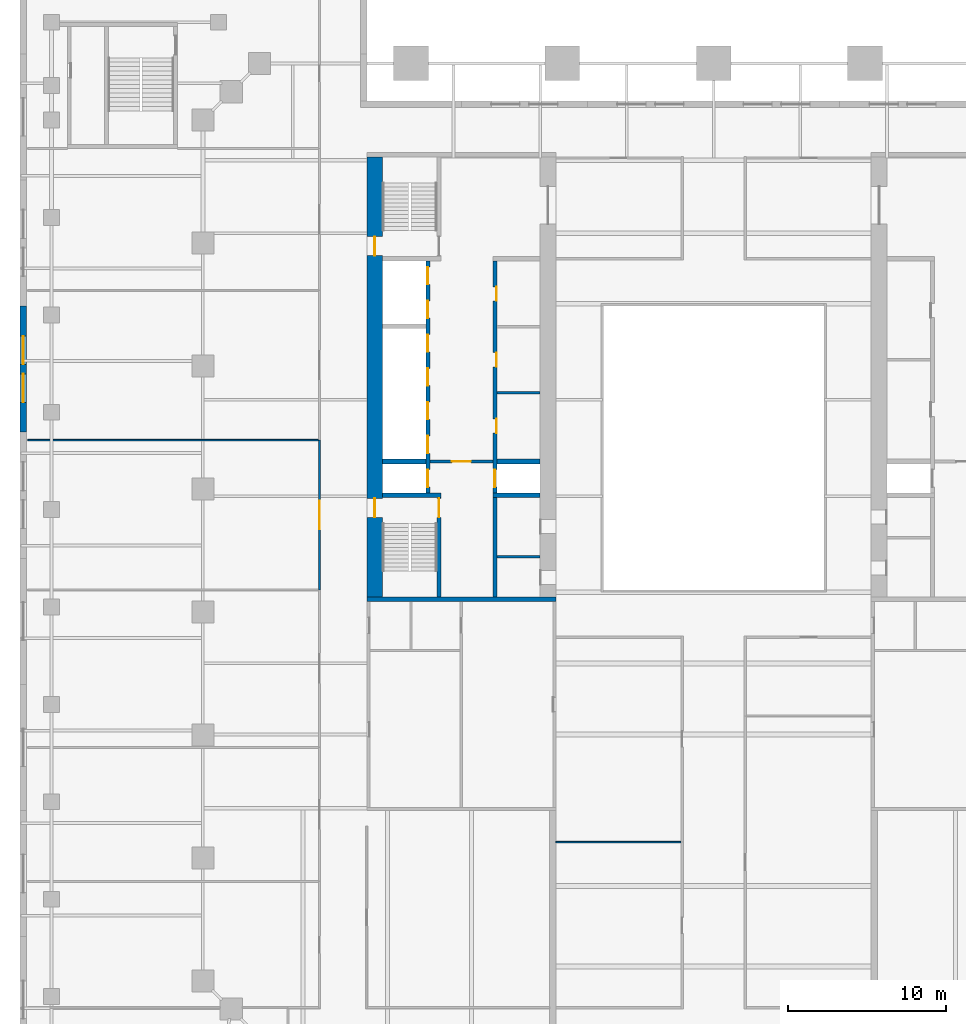
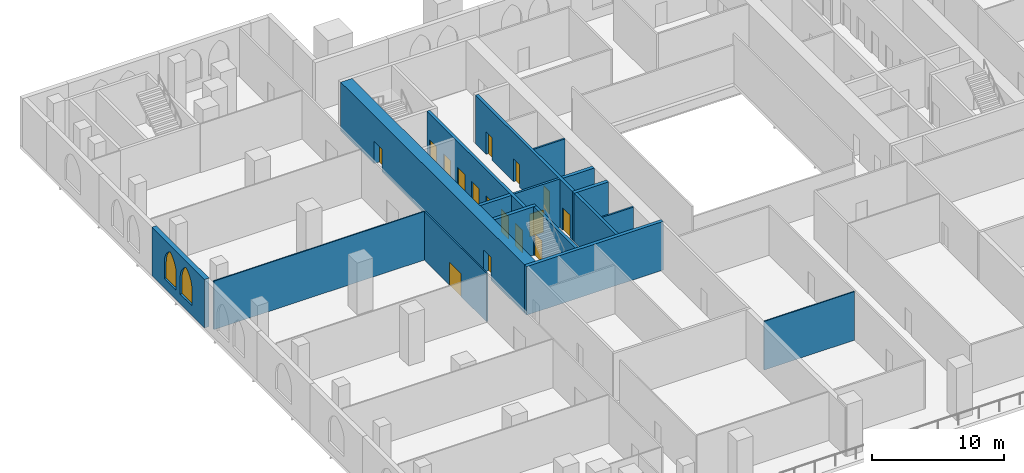
# One storey, part 10 of 19: 16 doors, 16 walls, 2 windows, 18 openings.
"""IFC4 building model written with IfcOpenShell, lengths in metres."""

from ifc_helpers import new_model, si_unit, direction, frame, frame_2d, origin, place, context, subcontext, project, spatial, polyline, rectangle, outline, extrude, material, layer, layer_set, type_object, element, fill, save


model = new_model("IFC4")

# Units and contexts
model_context = context("Model", 3, precision=1e-05, world=origin(), true_north=direction((0.0, 1.0)))
body_context = subcontext(model_context, "Body", "Model", "MODEL_VIEW")
ifc_project = project(units=[si_unit("LENGTHUNIT", "METRE"), si_unit("AREAUNIT", "SQUARE_METRE"), si_unit("VOLUMEUNIT", "CUBIC_METRE"), si_unit("PLANEANGLEUNIT", "RADIAN"), si_unit("MASSUNIT", "GRAM", prefix="KILO")], contexts=[model_context])

# Site, building, storey
site_placement = place(None, origin())
site = spatial("IfcSite", under=ifc_project, at=site_placement, CompositionType="ELEMENT")
building_placement = place(site_placement, origin())
building = spatial("IfcBuilding", under=site, at=building_placement, Name="Ogive Exchange Tower", CompositionType="ELEMENT")
storey_placement = place(building_placement, frame((0.0, 0.0, 19.199951171875)))
storey = spatial("IfcBuildingStorey", under=building, at=storey_placement, Name="L03", CompositionType="ELEMENT", Elevation=19.199951171875)

# Walls
ifc_material_1 = material(Name="Gypsum board partition")
ifc_layer_1 = layer(ifc_material_1, 0.14990234375)
ifc_layer_set_1 = layer_set([ifc_layer_1], Name="Core room partition 150 gypsum")
wall_type_1 = type_object("IfcWallType", Name="Core room partition 150 gypsum", PredefinedType="PARTITIONING", material=ifc_layer_set_1)
for number, where, z_axis, x_axis, name in (
    (1, (-13.75, 10.5, 0.0), (0.0, 0.0, 1.0), (1.0, 0.0, 0.0), "W row B bay partition 1-1"),
    (2, (-13.75, 0.10009765625, 0.0), (0.0, 0.0, 1.0), (1.0, 0.0, 0.0), "W south room partition"),
):
    element("IfcWall", number, at=place(storey_placement, frame(where, z_axis=z_axis, x_axis=x_axis)), inside=storey, type_object=wall_type_1, Name=name, PredefinedType="PARTITIONING", context=body_context, shape_type="SweptSolid", body=[
        extrude(rectangle(XDim=2.75, YDim=0.14990234375, at=frame_2d((1.375, 0.0))), origin(), (0.0, 0.0, 1.0), 4.5),
    ])

# Wall, opening, door
ifc_material_2 = material(Name="Glazed fire partition EI 60 120")
ifc_layer_2 = layer(ifc_material_2, 0.1201171875)
ifc_layer_set_2 = layer_set([ifc_layer_2], Name="Glazed fire partition EI 60 120")
wall_type_2 = type_object("IfcWallType", Name="Glazed fire partition EI 60 120", PredefinedType="PARTITIONING", material=ifc_layer_set_2)
wall_1_placement = place(storey_placement, frame((-25.0, -2.0, 0.0), z_axis=(0.0, 0.0, 1.0), x_axis=(0.0, 1.0, 0.0)))
wall_1 = element("IfcWall", 3, at=wall_1_placement, inside=storey, type_object=wall_type_2, Name="L03-PWL-046", PredefinedType="PARTITIONING", context=body_context, shape_type="SweptSolid", body=[
    extrude(rectangle(XDim=9.5, YDim=0.1201171875, at=frame_2d((4.75, 0.0))), origin(), (0.0, 0.0, 1.0), 4.5),
])
opening_1_placement = place(wall_1_placement, frame((3.85009765625, 0.0, 0.0)))
opening_1 = element("IfcOpeningElement", 4, at=opening_1_placement, cuts=wall_1, Name="Opening L03-I06", PredefinedType="OPENING", context=body_context, shape_type="SweptSolid", body=[
    extrude(rectangle(XDim=1.800048828125, YDim=2.10009765625, at=frame_2d((0.89990234375, 1.050048828125))), frame((0.0, 0.070068359375, 0.0), z_axis=(0.0, -1.0, 0.0), x_axis=(1.0, 0.0, 0.0)), (0.0, 0.0, 1.0), 0.14013671875),
])
ifc_material_3 = material(Name="Fire door FD 30S 1800 x 2100")
door_type_1 = type_object("IfcDoorType", Name="Fire door FD 30S 1800 x 2100", OperationType="DOUBLE_DOOR_SINGLE_SWING", PredefinedType="DOOR", material=ifc_material_3)
door_1_placement = place(opening_1_placement, origin())
door_1 = element("IfcDoor", 5, at=door_1_placement, inside=storey, type_object=door_type_1, Name="L03-IDR-006", ObjectType="DT4", OperationType="SINGLE_SWING_RIGHT", OverallHeight=2.10009765625, OverallWidth=1.800048828125, PredefinedType="DOOR", context=body_context, shape_type="SweptSolid", body=[
    extrude(rectangle(XDim=1.800048828125, YDim=2.10009765625, at=frame_2d((0.89990234375, 1.050048828125))), frame((0.0, 0.02490234375, 0.0), z_axis=(0.0, -1.0, 0.0), x_axis=(1.0, 0.0, 0.0)), (0.0, 0.0, 1.0), 0.050048828125),
])
fill(opening_1, door_1)

# Wall, openings, windows
ifc_material_4 = material(Name="Precast concrete C40/50", Category="concrete")
ifc_layer_3 = layer(ifc_material_4, 0.39990234375)
ifc_layer_set_3 = layer_set([ifc_layer_3], Name="Limestone-faced wall 400")
wall_type_3 = type_object("IfcWallType", Name="Limestone-faced wall 400", PredefinedType="STANDARD", material=ifc_layer_set_3)
wall_2_placement = place(storey_placement, frame((-43.800048828125, 16.0, 0.0), z_axis=(0.0, 0.0, 1.0), x_axis=(0.0, -1.0, 0.0)))
wall_2 = element("IfcWall", 6, at=wall_2_placement, inside=storey, type_object=wall_type_3, Name="Podium wall W4", PredefinedType="STANDARD", context=body_context, shape_type="SweptSolid", body=[
    extrude(rectangle(XDim=8.0, YDim=0.39990234375, at=frame_2d((4.0, 0.0))), origin(), (0.0, 0.0, 1.0), 4.5),
])
opening_2_placement = place(wall_2_placement, frame((1.89990234375, 0.0, 0.89990234375)))
opening_2 = element("IfcOpeningElement", 7, at=opening_2_placement, cuts=wall_2, Name="Opening WQ300", PredefinedType="OPENING", context=body_context, shape_type="SweptSolid", body=[
    extrude(outline(polyline([(0.0, 0.0), (1.800048828125, 0.0), (1.800048828125, 1.5), (1.78466796875, 1.72900390625), (1.73828125, 1.953857421875), (1.662353515625, 2.17041015625), (1.557861328125, 2.374755859375), (1.4267578125, 2.56298828125), (1.271484375, 2.73193359375), (1.0947265625, 2.878662109375), (0.89990234375, 3.0), (0.705322265625, 2.878662109375), (0.528564453125, 2.73193359375), (0.373291015625, 2.56298828125), (0.2421875, 2.374755859375), (0.1376953125, 2.17041015625), (0.061767578125, 1.953857421875), (0.015380859375, 1.72900390625), (0.0, 1.5), (0.0, 0.0)])), frame((0.0, 0.2099609375, 0.0), z_axis=(0.0, -1.0, 0.0), x_axis=(1.0, 0.0, 0.0)), (0.0, 0.0, 1.0), 0.419921875),
])
opening_3_placement = place(wall_2_placement, frame((4.300048828125, 0.0, 0.89990234375)))
opening_3 = element("IfcOpeningElement", 8, at=opening_3_placement, cuts=wall_2, Name="Opening WQ300", PredefinedType="OPENING", context=body_context, shape_type="SweptSolid", body=[
    extrude(outline(polyline([(0.0, 0.0), (1.800048828125, 0.0), (1.800048828125, 1.5), (1.78466796875, 1.72900390625), (1.73828125, 1.953857421875), (1.662353515625, 2.17041015625), (1.557861328125, 2.374755859375), (1.4267578125, 2.56298828125), (1.271484375, 2.73193359375), (1.0947265625, 2.878662109375), (0.89990234375, 3.0), (0.705322265625, 2.878662109375), (0.528564453125, 2.73193359375), (0.373291015625, 2.56298828125), (0.2421875, 2.374755859375), (0.1376953125, 2.17041015625), (0.061767578125, 1.953857421875), (0.015380859375, 1.72900390625), (0.0, 1.5), (0.0, 0.0)])), frame((0.0, 0.2099609375, 0.0), z_axis=(0.0, -1.0, 0.0), x_axis=(1.0, 0.0, 0.0)), (0.0, 0.0, 1.0), 0.419921875),
])
ifc_material_5 = material(Name="Clear glass in bronze frame", Category="glass")
window_type = type_object("IfcWindowType", Name="Podium paired lancet 1800 x 3000", PartitioningType="DOUBLE_PANEL_VERTICAL", PredefinedType="WINDOW", material=ifc_material_5)
window_1_placement = place(opening_2_placement, origin())
window_1 = element("IfcWindow", 9, at=window_1_placement, inside=storey, type_object=window_type, Name="Podium paired lancet W4.1", OverallHeight=3.0, OverallWidth=1.800048828125, PartitioningType="DOUBLE_PANEL_VERTICAL", PredefinedType="WINDOW", context=body_context, shape_type="SweptSolid", body=[
    extrude(outline(polyline([(0.0, 0.0), (1.800048828125, 0.0), (1.800048828125, 1.5), (1.78466796875, 1.72900390625), (1.73828125, 1.953857421875), (1.662353515625, 2.17041015625), (1.557861328125, 2.374755859375), (1.4267578125, 2.56298828125), (1.271484375, 2.73193359375), (1.0947265625, 2.878662109375), (0.89990234375, 3.0), (0.705322265625, 2.878662109375), (0.528564453125, 2.73193359375), (0.373291015625, 2.56298828125), (0.2421875, 2.374755859375), (0.1376953125, 2.17041015625), (0.061767578125, 1.953857421875), (0.015380859375, 1.72900390625), (0.0, 1.5), (0.0, 0.0)])), frame((0.0, 0.030029296875, 0.0), z_axis=(0.0, -1.0, 0.0), x_axis=(1.0, 0.0, 0.0)), (0.0, 0.0, 1.0), 0.06005859375),
])
fill(opening_2, window_1)
window_2_placement = place(opening_3_placement, origin())
window_2 = element("IfcWindow", 10, at=window_2_placement, inside=storey, type_object=window_type, Name="Podium paired lancet W4.2", OverallHeight=3.0, OverallWidth=1.800048828125, PartitioningType="DOUBLE_PANEL_VERTICAL", PredefinedType="WINDOW", context=body_context, shape_type="SweptSolid", body=[
    extrude(outline(polyline([(0.0, 0.0), (1.800048828125, 0.0), (1.800048828125, 1.5), (1.78466796875, 1.72900390625), (1.73828125, 1.953857421875), (1.662353515625, 2.17041015625), (1.557861328125, 2.374755859375), (1.4267578125, 2.56298828125), (1.271484375, 2.73193359375), (1.0947265625, 2.878662109375), (0.89990234375, 3.0), (0.705322265625, 2.878662109375), (0.528564453125, 2.73193359375), (0.373291015625, 2.56298828125), (0.2421875, 2.374755859375), (0.1376953125, 2.17041015625), (0.061767578125, 1.953857421875), (0.015380859375, 1.72900390625), (0.0, 1.5), (0.0, 0.0)])), frame((0.0, 0.030029296875, 0.0), z_axis=(0.0, -1.0, 0.0), x_axis=(1.0, 0.0, 0.0)), (0.0, 0.0, 1.0), 0.06005859375),
])
fill(opening_3, window_2)

# Walls
ifc_material_6 = material(Name="Partition 100 gypsum")
ifc_layer_4 = layer(ifc_material_6, 0.10009765625)
ifc_layer_set_4 = layer_set([ifc_layer_4], Name="Partition 100 gypsum")
wall_type_4 = type_object("IfcWallType", Name="Partition 100 gypsum", PredefinedType="PARTITIONING", material=ifc_layer_set_4)
wall_3_placement = place(storey_placement, frame((-10.0, -18.0, 0.0), z_axis=(0.0, 0.0, 1.0), x_axis=(1.0, 0.0, 0.0)))
element("IfcWall", 11, at=wall_3_placement, inside=storey, type_object=wall_type_4, Name="L03-PWL-016", PredefinedType="PARTITIONING", context=body_context, shape_type="SweptSolid", body=[
    extrude(rectangle(XDim=7.925048828125, YDim=0.10009765625, at=frame_2d((3.96240234375, 0.0))), origin(), (0.0, 0.0, 1.0), 4.5),
])
wall_4_placement = place(storey_placement, frame((-43.5, 7.5, 0.0), z_axis=(0.0, 0.0, 1.0), x_axis=(1.0, 0.0, 0.0)))
element("IfcWall", 12, at=wall_4_placement, inside=storey, type_object=wall_type_4, Name="L03-PWL-026", PredefinedType="PARTITIONING", context=body_context, shape_type="SweptSolid", body=[
    extrude(rectangle(XDim=18.43994140625, YDim=0.10009765625, at=frame_2d((9.219970703125, 0.0))), origin(), (0.0, 0.0, 1.0), 4.5),
])

# Wall, openings, doors
ifc_material_7 = material(Name="Concrete C70/85", Category="concrete")
ifc_layer_5 = layer(ifc_material_7, 1.0)
ifc_layer_set_5 = layer_set([ifc_layer_5], Name="RC core wall 1000 C70/85")
wall_type_5 = type_object("IfcWallType", Name="RC core wall 1000 C70/85", PredefinedType="SHEAR", material=ifc_layer_set_5)
wall_5_placement = place(storey_placement, frame((-21.5, -2.449951171875, 0.0), z_axis=(0.0, 0.0, 1.0), x_axis=(0.0, 1.0, 0.0)))
wall_5 = element("IfcWall", 13, at=wall_5_placement, inside=storey, type_object=wall_type_5, Name="W outer wall", PredefinedType="SHEAR", context=body_context, shape_type="SweptSolid", body=[
    extrude(rectangle(XDim=27.89990234375, YDim=1.0, at=frame_2d((13.949951171875, 0.0))), origin(), (0.0, 0.0, 1.0), 4.5),
])
opening_4_placement = place(wall_5_placement, frame((5.050048828125, 0.0, 0.0)))
opening_4 = element("IfcOpeningElement", 14, at=opening_4_placement, cuts=wall_5, Name="Opening L03-C15", PredefinedType="OPENING", context=body_context, shape_type="SweptSolid", body=[
    extrude(rectangle(XDim=1.199951171875, YDim=2.10009765625, at=frame_2d((0.60009765625, 1.050048828125))), frame((0.0, 0.510009765625, 0.0), z_axis=(0.0, -1.0, 0.0), x_axis=(1.0, 0.0, 0.0)), (0.0, 0.0, 1.0), 1.02001953125),
])
opening_5_placement = place(wall_5_placement, frame((21.64990234375, 0.0, 0.0)))
opening_5 = element("IfcOpeningElement", 15, at=opening_5_placement, cuts=wall_5, Name="Opening L03-C17", PredefinedType="OPENING", context=body_context, shape_type="SweptSolid", body=[
    extrude(rectangle(XDim=1.199951171875, YDim=2.10009765625, at=frame_2d((0.60009765625, 1.050048828125))), frame((0.0, 0.510009765625, 0.0), z_axis=(0.0, -1.0, 0.0), x_axis=(1.0, 0.0, 0.0)), (0.0, 0.0, 1.0), 1.02001953125),
])
ifc_material_8 = material(Name="Steel fire door", Category="steel")
door_type_2 = type_object("IfcDoorType", Name="Stair door FD90 1200 x 2100", OperationType="NOTDEFINED", PredefinedType="DOOR", material=ifc_material_8)
door_2_placement = place(opening_4_placement, frame((1.199951171875, 0.0, 0.0), z_axis=(0.0, 0.0, 1.0), x_axis=(-1.0, 0.0, 0.0)))
door_2 = element("IfcDoor", 16, at=door_2_placement, inside=storey, type_object=door_type_2, Name="Stair door", ObjectType="CD5", OperationType="SINGLE_SWING_RIGHT", OverallHeight=2.10009765625, OverallWidth=1.199951171875, PredefinedType="DOOR", context=body_context, shape_type="SweptSolid", body=[
    extrude(rectangle(XDim=1.199951171875, YDim=2.10009765625, at=frame_2d((0.60009765625, 1.050048828125))), frame((0.0, 0.02490234375, 0.0), z_axis=(0.0, -1.0, 0.0), x_axis=(1.0, 0.0, 0.0)), (0.0, 0.0, 1.0), 0.050048828125),
])
fill(opening_4, door_2)
door_3_placement = place(opening_5_placement, frame((1.199951171875, 0.0, 0.0), z_axis=(0.0, 0.0, 1.0), x_axis=(-1.0, 0.0, 0.0)))
door_3 = element("IfcDoor", 17, at=door_3_placement, inside=storey, type_object=door_type_2, Name="Stair door", ObjectType="CD5", OperationType="SINGLE_SWING_LEFT", OverallHeight=2.10009765625, OverallWidth=1.199951171875, PredefinedType="DOOR", context=body_context, shape_type="SweptSolid", body=[
    extrude(rectangle(XDim=1.199951171875, YDim=2.10009765625, at=frame_2d((0.60009765625, 1.050048828125))), frame((0.0, 0.02490234375, 0.0), z_axis=(0.0, -1.0, 0.0), x_axis=(1.0, 0.0, 0.0)), (0.0, 0.0, 1.0), 0.050048828125),
])
fill(opening_5, door_3)

# Wall, opening, door
ifc_layer_6 = layer(ifc_material_7, 0.199951171875)
ifc_layer_set_6 = layer_set([ifc_layer_6], Name="RC core wall 200 C70/85")
wall_type_6 = type_object("IfcWallType", Name="RC core wall 200 C70/85", PredefinedType="SHEAR", material=ifc_layer_set_6)
wall_6_placement = place(storey_placement, frame((-18.0, 6.142822265625, 0.0), z_axis=(0.0, 0.0, 1.0), x_axis=(1.0, 0.0, 0.0)))
wall_6 = element("IfcWall", 18, at=wall_6_placement, inside=storey, type_object=wall_type_6, Name="W firefighting lobby wall", PredefinedType="SHEAR", context=body_context, shape_type="SweptSolid", body=[
    extrude(rectangle(XDim=4.0, YDim=0.199951171875, at=frame_2d((2.0, 0.0))), origin(), (0.0, 0.0, 1.0), 4.5),
])
opening_6_placement = place(wall_6_placement, frame((1.39990234375, 0.0, 0.0)))
opening_6 = element("IfcOpeningElement", 19, at=opening_6_placement, cuts=wall_6, Name="Opening L03-C12", PredefinedType="OPENING", context=body_context, shape_type="SweptSolid", body=[
    extrude(rectangle(XDim=1.199951171875, YDim=2.10009765625, at=frame_2d((0.60009765625, 1.050048828125))), frame((0.0, 0.10986328125, 0.0), z_axis=(0.0, -1.0, 0.0), x_axis=(1.0, 0.0, 0.0)), (0.0, 0.0, 1.0), 0.219970703125),
])
door_type_3 = type_object("IfcDoorType", Name="Firefighting lobby door FD60 1200 x 2100", OperationType="NOTDEFINED", PredefinedType="DOOR", material=ifc_material_8)
door_4_placement = place(opening_6_placement, frame((1.199951171875, 0.0, 0.0), z_axis=(0.0, 0.0, 1.0), x_axis=(-1.0, 0.0, 0.0)))
door_4 = element("IfcDoor", 20, at=door_4_placement, inside=storey, type_object=door_type_3, Name="Firefighting lobby door", ObjectType="CD3", OperationType="SINGLE_SWING_LEFT", OverallHeight=2.10009765625, OverallWidth=1.199951171875, PredefinedType="DOOR", context=body_context, shape_type="SweptSolid", body=[
    extrude(rectangle(XDim=1.199951171875, YDim=2.10009765625, at=frame_2d((0.60009765625, 1.050048828125))), frame((0.0, 0.02490234375, 0.0), z_axis=(0.0, -1.0, 0.0), x_axis=(1.0, 0.0, 0.0)), (0.0, 0.0, 1.0), 0.050048828125),
])
fill(opening_6, door_4)

ifc_layer_7 = layer(ifc_material_7, 0.25)
ifc_layer_set_7 = layer_set([ifc_layer_7], Name="RC core wall 250 C70/85")
wall_type_7 = type_object("IfcWallType", Name="RC core wall 250 C70/85", PredefinedType="SHEAR", material=ifc_layer_set_7)
wall_7_placement = place(storey_placement, frame((-17.425048828125, -2.449951171875, 0.0), z_axis=(0.0, 0.0, 1.0), x_axis=(0.0, 1.0, 0.0)))
wall_7 = element("IfcWall", 21, at=wall_7_placement, inside=storey, type_object=wall_type_7, Name="W stair S front wall", PredefinedType="SHEAR", context=body_context, shape_type="SweptSolid", body=[
    extrude(rectangle(XDim=6.300048828125, YDim=0.25, at=frame_2d((3.14990234375, 0.0))), origin(), (0.0, 0.0, 1.0), 4.5),
])
opening_7_placement = place(wall_7_placement, frame((5.050048828125, 0.0, 0.0)))
opening_7 = element("IfcOpeningElement", 22, at=opening_7_placement, cuts=wall_7, Name="Opening L03-C14", PredefinedType="OPENING", context=body_context, shape_type="SweptSolid", body=[
    extrude(rectangle(XDim=1.199951171875, YDim=2.10009765625, at=frame_2d((0.60009765625, 1.050048828125))), frame((0.0, 0.135009765625, 0.0), z_axis=(0.0, -1.0, 0.0), x_axis=(1.0, 0.0, 0.0)), (0.0, 0.0, 1.0), 0.27001953125),
])
door_5_placement = place(opening_7_placement, origin())
door_5 = element("IfcDoor", 23, at=door_5_placement, inside=storey, type_object=door_type_2, Name="Stair door", ObjectType="CD5", OperationType="SINGLE_SWING_LEFT", OverallHeight=2.10009765625, OverallWidth=1.199951171875, PredefinedType="DOOR", context=body_context, shape_type="SweptSolid", body=[
    extrude(rectangle(XDim=1.199951171875, YDim=2.10009765625, at=frame_2d((0.60009765625, 1.050048828125))), frame((0.0, 0.02490234375, 0.0), z_axis=(0.0, -1.0, 0.0), x_axis=(1.0, 0.0, 0.0)), (0.0, 0.0, 1.0), 0.050048828125),
])
fill(opening_7, door_5)

# Wall, openings, doors
wall_8_placement = place(storey_placement, frame((-18.125, 4.14990234375, 0.0), z_axis=(0.0, 0.0, 1.0), x_axis=(0.0, 1.0, 0.0)))
wall_8 = element("IfcWall", 24, at=wall_8_placement, inside=storey, type_object=wall_type_7, Name="W row A front wall", PredefinedType="SHEAR", context=body_context, shape_type="SweptSolid", body=[
    extrude(rectangle(XDim=14.7001953125, YDim=0.25, at=frame_2d((7.35009765625, 0.0))), origin(), (0.0, 0.0, 1.0), 4.5),
])
opening_8_placement = place(wall_8_placement, frame((0.371337890625, 0.0, 0.0)))
opening_8 = element("IfcOpeningElement", 25, at=opening_8_placement, cuts=wall_8, Name="Opening L03-C01", PredefinedType="OPENING", context=body_context, shape_type="SweptSolid", body=[
    extrude(rectangle(XDim=1.10009765625, YDim=2.10009765625, at=frame_2d((0.550048828125, 1.050048828125))), frame((0.0, 0.135009765625, 0.0), z_axis=(0.0, -1.0, 0.0), x_axis=(1.0, 0.0, 0.0)), (0.0, 0.0, 1.0), 0.27001953125),
])
opening_9_placement = place(wall_8_placement, frame((2.514404296875, 0.0, 0.0)))
opening_9 = element("IfcOpeningElement", 26, at=opening_9_placement, cuts=wall_8, Name="Opening L03-C02", PredefinedType="OPENING", context=body_context, shape_type="SweptSolid", body=[
    extrude(rectangle(XDim=1.10009765625, YDim=2.10009765625, at=frame_2d((0.550048828125, 1.050048828125))), frame((0.0, 0.135009765625, 0.0), z_axis=(0.0, -1.0, 0.0), x_axis=(1.0, 0.0, 0.0)), (0.0, 0.0, 1.0), 0.27001953125),
])
opening_10_placement = place(wall_8_placement, frame((4.656982421875, 0.0, 0.0)))
opening_10 = element("IfcOpeningElement", 27, at=opening_10_placement, cuts=wall_8, Name="Opening L03-C03", PredefinedType="OPENING", context=body_context, shape_type="SweptSolid", body=[
    extrude(rectangle(XDim=1.10009765625, YDim=2.10009765625, at=frame_2d((0.550048828125, 1.050048828125))), frame((0.0, 0.135009765625, 0.0), z_axis=(0.0, -1.0, 0.0), x_axis=(1.0, 0.0, 0.0)), (0.0, 0.0, 1.0), 0.27001953125),
])
opening_11_placement = place(wall_8_placement, frame((6.800048828125, 0.0, 0.0)))
opening_11 = element("IfcOpeningElement", 28, at=opening_11_placement, cuts=wall_8, Name="Opening L03-C04", PredefinedType="OPENING", context=body_context, shape_type="SweptSolid", body=[
    extrude(rectangle(XDim=1.10009765625, YDim=2.10009765625, at=frame_2d((0.550048828125, 1.050048828125))), frame((0.0, 0.135009765625, 0.0), z_axis=(0.0, -1.0, 0.0), x_axis=(1.0, 0.0, 0.0)), (0.0, 0.0, 1.0), 0.27001953125),
])
opening_12_placement = place(wall_8_placement, frame((8.94287109375, 0.0, 0.0)))
opening_12 = element("IfcOpeningElement", 29, at=opening_12_placement, cuts=wall_8, Name="Opening L03-C05", PredefinedType="OPENING", context=body_context, shape_type="SweptSolid", body=[
    extrude(rectangle(XDim=1.10009765625, YDim=2.10009765625, at=frame_2d((0.550048828125, 1.050048828125))), frame((0.0, 0.135009765625, 0.0), z_axis=(0.0, -1.0, 0.0), x_axis=(1.0, 0.0, 0.0)), (0.0, 0.0, 1.0), 0.27001953125),
])
opening_13_placement = place(wall_8_placement, frame((11.085693359375, 0.0, 0.0)))
opening_13 = element("IfcOpeningElement", 30, at=opening_13_placement, cuts=wall_8, Name="Opening L03-C06", PredefinedType="OPENING", context=body_context, shape_type="SweptSolid", body=[
    extrude(rectangle(XDim=1.10009765625, YDim=2.10009765625, at=frame_2d((0.550048828125, 1.050048828125))), frame((0.0, 0.135009765625, 0.0), z_axis=(0.0, -1.0, 0.0), x_axis=(1.0, 0.0, 0.0)), (0.0, 0.0, 1.0), 0.27001953125),
])
opening_14_placement = place(wall_8_placement, frame((13.228515625, 0.0, 0.0)))
opening_14 = element("IfcOpeningElement", 31, at=opening_14_placement, cuts=wall_8, Name="Opening L03-C07", PredefinedType="OPENING", context=body_context, shape_type="SweptSolid", body=[
    extrude(rectangle(XDim=1.10009765625, YDim=2.10009765625, at=frame_2d((0.550048828125, 1.050048828125))), frame((0.0, 0.135009765625, 0.0), z_axis=(0.0, -1.0, 0.0), x_axis=(1.0, 0.0, 0.0)), (0.0, 0.0, 1.0), 0.27001953125),
])
ifc_material_9 = material(Name="Stainless steel", Category="steel")
door_type_4 = type_object("IfcDoorType", Name="Lift landing door FD90 1100 x 2100", OperationType="SLIDING_TO_LEFT", PredefinedType="DOOR", material=ifc_material_9)
door_6_placement = place(opening_8_placement, origin())
door_6 = element("IfcDoor", 32, at=door_6_placement, inside=storey, type_object=door_type_4, Name="Lift landing door FF1", ObjectType="LD", OperationType="SLIDING_TO_LEFT", OverallHeight=2.10009765625, OverallWidth=1.10009765625, PredefinedType="DOOR", context=body_context, shape_type="SweptSolid", body=[
    extrude(rectangle(XDim=1.10009765625, YDim=2.10009765625, at=frame_2d((0.550048828125, 1.050048828125))), frame((0.0, 0.02490234375, 0.0), z_axis=(0.0, -1.0, 0.0), x_axis=(1.0, 0.0, 0.0)), (0.0, 0.0, 1.0), 0.050048828125),
])
fill(opening_8, door_6)
door_7_placement = place(opening_9_placement, origin())
door_7 = element("IfcDoor", 33, at=door_7_placement, inside=storey, type_object=door_type_4, Name="Lift landing door W-L1", ObjectType="LD", OperationType="SLIDING_TO_LEFT", OverallHeight=2.10009765625, OverallWidth=1.10009765625, PredefinedType="DOOR", context=body_context, shape_type="SweptSolid", body=[
    extrude(rectangle(XDim=1.10009765625, YDim=2.10009765625, at=frame_2d((0.550048828125, 1.050048828125))), frame((0.0, 0.02490234375, 0.0), z_axis=(0.0, -1.0, 0.0), x_axis=(1.0, 0.0, 0.0)), (0.0, 0.0, 1.0), 0.050048828125),
])
fill(opening_9, door_7)
door_8_placement = place(opening_10_placement, origin())
door_8 = element("IfcDoor", 34, at=door_8_placement, inside=storey, type_object=door_type_4, Name="Lift landing door W-L2", ObjectType="LD", OperationType="SLIDING_TO_LEFT", OverallHeight=2.10009765625, OverallWidth=1.10009765625, PredefinedType="DOOR", context=body_context, shape_type="SweptSolid", body=[
    extrude(rectangle(XDim=1.10009765625, YDim=2.10009765625, at=frame_2d((0.550048828125, 1.050048828125))), frame((0.0, 0.02490234375, 0.0), z_axis=(0.0, -1.0, 0.0), x_axis=(1.0, 0.0, 0.0)), (0.0, 0.0, 1.0), 0.050048828125),
])
fill(opening_10, door_8)
door_9_placement = place(opening_11_placement, origin())
door_9 = element("IfcDoor", 35, at=door_9_placement, inside=storey, type_object=door_type_4, Name="Lift landing door W-L3", ObjectType="LD", OperationType="SLIDING_TO_LEFT", OverallHeight=2.10009765625, OverallWidth=1.10009765625, PredefinedType="DOOR", context=body_context, shape_type="SweptSolid", body=[
    extrude(rectangle(XDim=1.10009765625, YDim=2.10009765625, at=frame_2d((0.550048828125, 1.050048828125))), frame((0.0, 0.02490234375, 0.0), z_axis=(0.0, -1.0, 0.0), x_axis=(1.0, 0.0, 0.0)), (0.0, 0.0, 1.0), 0.050048828125),
])
fill(opening_11, door_9)
door_10_placement = place(opening_12_placement, origin())
door_10 = element("IfcDoor", 36, at=door_10_placement, inside=storey, type_object=door_type_4, Name="Lift landing door W-L4", ObjectType="LD", OperationType="SLIDING_TO_LEFT", OverallHeight=2.10009765625, OverallWidth=1.10009765625, PredefinedType="DOOR", context=body_context, shape_type="SweptSolid", body=[
    extrude(rectangle(XDim=1.10009765625, YDim=2.10009765625, at=frame_2d((0.550048828125, 1.050048828125))), frame((0.0, 0.02490234375, 0.0), z_axis=(0.0, -1.0, 0.0), x_axis=(1.0, 0.0, 0.0)), (0.0, 0.0, 1.0), 0.050048828125),
])
fill(opening_12, door_10)
door_11_placement = place(opening_13_placement, origin())
door_11 = element("IfcDoor", 37, at=door_11_placement, inside=storey, type_object=door_type_4, Name="Lift landing door W-SH1", ObjectType="LD", OperationType="SLIDING_TO_LEFT", OverallHeight=2.10009765625, OverallWidth=1.10009765625, PredefinedType="DOOR", context=body_context, shape_type="SweptSolid", body=[
    extrude(rectangle(XDim=1.10009765625, YDim=2.10009765625, at=frame_2d((0.550048828125, 1.050048828125))), frame((0.0, 0.02490234375, 0.0), z_axis=(0.0, -1.0, 0.0), x_axis=(1.0, 0.0, 0.0)), (0.0, 0.0, 1.0), 0.050048828125),
])
fill(opening_13, door_11)
door_12_placement = place(opening_14_placement, origin())
door_12 = element("IfcDoor", 38, at=door_12_placement, inside=storey, type_object=door_type_4, Name="Lift landing door W-SH2", ObjectType="LD", OperationType="SLIDING_TO_LEFT", OverallHeight=2.10009765625, OverallWidth=1.10009765625, PredefinedType="DOOR", context=body_context, shape_type="SweptSolid", body=[
    extrude(rectangle(XDim=1.10009765625, YDim=2.10009765625, at=frame_2d((0.550048828125, 1.050048828125))), frame((0.0, 0.02490234375, 0.0), z_axis=(0.0, -1.0, 0.0), x_axis=(1.0, 0.0, 0.0)), (0.0, 0.0, 1.0), 0.050048828125),
])
fill(opening_14, door_12)

wall_9_placement = place(storey_placement, frame((-13.875, -2.449951171875, 0.0), z_axis=(0.0, 0.0, 1.0), x_axis=(0.0, 1.0, 0.0)))
wall_9 = element("IfcWall", 39, at=wall_9_placement, inside=storey, type_object=wall_type_7, Name="W row B front wall", PredefinedType="SHEAR", context=body_context, shape_type="SweptSolid", body=[
    extrude(rectangle(XDim=21.300048828125, YDim=0.25, at=frame_2d((10.64990234375, 0.0))), origin(), (0.0, 0.0, 1.0), 4.5),
])
opening_15_placement = place(wall_9_placement, frame((10.396484375, 0.0, 0.0)))
opening_15 = element("IfcOpeningElement", 40, at=opening_15_placement, cuts=wall_9, Name="Opening L03-C08", PredefinedType="OPENING", context=body_context, shape_type="SweptSolid", body=[
    extrude(rectangle(XDim=0.89990234375, YDim=2.10009765625, at=frame_2d((0.449951171875, 1.050048828125))), frame((0.0, 0.135009765625, 0.0), z_axis=(0.0, -1.0, 0.0), x_axis=(1.0, 0.0, 0.0)), (0.0, 0.0, 1.0), 0.27001953125),
])
opening_16_placement = place(wall_9_placement, frame((14.60009765625, 0.0, 0.0)))
opening_16 = element("IfcOpeningElement", 41, at=opening_16_placement, cuts=wall_9, Name="Opening L03-C09", PredefinedType="OPENING", context=body_context, shape_type="SweptSolid", body=[
    extrude(rectangle(XDim=0.89990234375, YDim=2.10009765625, at=frame_2d((0.449951171875, 1.050048828125))), frame((0.0, 0.135009765625, 0.0), z_axis=(0.0, -1.0, 0.0), x_axis=(1.0, 0.0, 0.0)), (0.0, 0.0, 1.0), 0.27001953125),
])
opening_17_placement = place(wall_9_placement, frame((18.77490234375, 0.0, 0.0)))
opening_17 = element("IfcOpeningElement", 42, at=opening_17_placement, cuts=wall_9, Name="Opening L03-C10", PredefinedType="OPENING", context=body_context, shape_type="SweptSolid", body=[
    extrude(rectangle(XDim=0.89990234375, YDim=2.10009765625, at=frame_2d((0.449951171875, 1.050048828125))), frame((0.0, 0.135009765625, 0.0), z_axis=(0.0, -1.0, 0.0), x_axis=(1.0, 0.0, 0.0)), (0.0, 0.0, 1.0), 0.27001953125),
])
opening_18_placement = place(wall_9_placement, frame((6.971435546875, 0.0, 0.0)))
opening_18 = element("IfcOpeningElement", 43, at=opening_18_placement, cuts=wall_9, Name="Opening L03-C11", PredefinedType="OPENING", context=body_context, shape_type="SweptSolid", body=[
    extrude(rectangle(XDim=1.10009765625, YDim=2.10009765625, at=frame_2d((0.550048828125, 1.050048828125))), frame((0.0, 0.135009765625, 0.0), z_axis=(0.0, -1.0, 0.0), x_axis=(1.0, 0.0, 0.0)), (0.0, 0.0, 1.0), 0.27001953125),
])
ifc_material_10 = material(Name="Timber fire door", Category="wood")
door_type_5 = type_object("IfcDoorType", Name="Core room door FD30S 900 x 2100", OperationType="NOTDEFINED", PredefinedType="DOOR", material=ifc_material_10)
door_13_placement = place(opening_16_placement, frame((0.89990234375, -0.2001953125, 0.0), z_axis=(0.0, 0.0, 1.0), x_axis=(-1.0, 0.0, 0.0)))
door_13 = element("IfcDoor", 44, at=door_13_placement, inside=storey, type_object=door_type_5, Name="Core room door", ObjectType="CD6", OperationType="SINGLE_SWING_RIGHT", OverallHeight=2.10009765625, OverallWidth=0.89990234375, PredefinedType="DOOR", context=body_context, shape_type="SweptSolid", body=[
    extrude(rectangle(XDim=0.89990234375, YDim=2.10009765625, at=frame_2d((0.449951171875, 1.050048828125))), frame((0.0, -0.0751953125, 0.0), z_axis=(0.0, -1.0, 0.0), x_axis=(1.0, 0.0, 0.0)), (0.0, 0.0, 1.0), 0.050048828125),
])
fill(opening_16, door_13)
door_14_placement = place(opening_18_placement, origin())
door_14 = element("IfcDoor", 45, at=door_14_placement, inside=storey, type_object=door_type_4, Name="Lift landing door SV1", ObjectType="LD", OperationType="SLIDING_TO_LEFT", OverallHeight=2.10009765625, OverallWidth=1.10009765625, PredefinedType="DOOR", context=body_context, shape_type="SweptSolid", body=[
    extrude(rectangle(XDim=1.10009765625, YDim=2.10009765625, at=frame_2d((0.550048828125, 1.050048828125))), frame((0.0, 0.02490234375, 0.0), z_axis=(0.0, -1.0, 0.0), x_axis=(1.0, 0.0, 0.0)), (0.0, 0.0, 1.0), 0.050048828125),
])
fill(opening_18, door_14)
door_type_6 = type_object("IfcDoorType", Name="Riser door FD60 900 x 2100", OperationType="NOTDEFINED", PredefinedType="DOOR", material=ifc_material_8)
door_15_placement = place(opening_15_placement, frame((0.89990234375, -0.2001953125, 0.0), z_axis=(0.0, 0.0, 1.0), x_axis=(-1.0, 0.0, 0.0)))
door_15 = element("IfcDoor", 46, at=door_15_placement, inside=storey, type_object=door_type_6, Name="Riser door", ObjectType="CD2", OperationType="SINGLE_SWING_RIGHT", OverallHeight=2.10009765625, OverallWidth=0.89990234375, PredefinedType="DOOR", context=body_context, shape_type="SweptSolid", body=[
    extrude(rectangle(XDim=0.89990234375, YDim=2.10009765625, at=frame_2d((0.449951171875, 1.050048828125))), frame((0.0, -0.0751953125, 0.0), z_axis=(0.0, -1.0, 0.0), x_axis=(1.0, 0.0, 0.0)), (0.0, 0.0, 1.0), 0.050048828125),
])
fill(opening_15, door_15)
door_16_placement = place(opening_17_placement, frame((0.89990234375, -0.2001953125, 0.0), z_axis=(0.0, 0.0, 1.0), x_axis=(-1.0, 0.0, 0.0)))
door_16 = element("IfcDoor", 47, at=door_16_placement, inside=storey, type_object=door_type_6, Name="Riser door", ObjectType="CD2", OperationType="SINGLE_SWING_LEFT", OverallHeight=2.10009765625, OverallWidth=0.89990234375, PredefinedType="DOOR", context=body_context, shape_type="SweptSolid", body=[
    extrude(rectangle(XDim=0.89990234375, YDim=2.10009765625, at=frame_2d((0.449951171875, 1.050048828125))), frame((0.0, -0.0751953125, 0.0), z_axis=(0.0, -1.0, 0.0), x_axis=(1.0, 0.0, 0.0)), (0.0, 0.0, 1.0), 0.050048828125),
])
fill(opening_17, door_16)

# Walls
ifc_layer_8 = layer(ifc_material_7, 0.300048828125)
ifc_layer_set_8 = layer_set([ifc_layer_8], Name="RC core wall 300 C70/85")
wall_type_8 = type_object("IfcWallType", Name="RC core wall 300 C70/85", PredefinedType="SHEAR", material=ifc_layer_set_8)
wall_10_placement = place(storey_placement, frame((-22.0, -2.60009765625, 0.0), z_axis=(0.0, 0.0, 1.0), x_axis=(1.0, 0.0, 0.0)))
element("IfcWall", 48, at=wall_10_placement, inside=storey, type_object=wall_type_8, Name="W south end wall", PredefinedType="SHEAR", context=body_context, shape_type="SweptSolid", body=[
    extrude(rectangle(XDim=12.0, YDim=0.300048828125, at=frame_2d((6.0, 0.0))), origin(), (0.0, 0.0, 1.0), 4.5),
])
wall_11_placement = place(storey_placement, frame((-21.0, 4.0, 0.0), z_axis=(0.0, 0.0, 1.0), x_axis=(1.0, 0.0, 0.0)))
element("IfcWall", 49, at=wall_11_placement, inside=storey, type_object=wall_type_8, Name="W stair S north wall", PredefinedType="SHEAR", context=body_context, shape_type="SweptSolid", body=[
    extrude(rectangle(XDim=3.699951171875, YDim=0.300048828125, at=frame_2d((1.85009765625, 0.0))), origin(), (0.0, 0.0, 1.0), 4.5),
])
wall_12_placement = place(storey_placement, frame((-21.0, 6.142822265625, 0.0), z_axis=(0.0, 0.0, 1.0), x_axis=(1.0, 0.0, 0.0)))
element("IfcWall", 50, at=wall_12_placement, inside=storey, type_object=wall_type_8, Name="W row A divider 1", PredefinedType="SHEAR", context=body_context, shape_type="SweptSolid", body=[
    extrude(rectangle(XDim=2.75, YDim=0.300048828125, at=frame_2d((1.375, 0.0))), origin(), (0.0, 0.0, 1.0), 4.5),
])
wall_13_placement = place(storey_placement, frame((-14.0, 4.0, 0.0), z_axis=(0.0, 0.0, 1.0), x_axis=(1.0, 0.0, 0.0)))
element("IfcWall", 51, at=wall_13_placement, inside=storey, type_object=wall_type_8, Name="W row B divider 0", PredefinedType="SHEAR", context=body_context, shape_type="SweptSolid", body=[
    extrude(rectangle(XDim=3.0, YDim=0.300048828125, at=frame_2d((1.5, 0.0))), origin(), (0.0, 0.0, 1.0), 4.5),
])
wall_14_placement = place(storey_placement, frame((-13.75, 6.142822265625, 0.0), z_axis=(0.0, 0.0, 1.0), x_axis=(1.0, 0.0, 0.0)))
element("IfcWall", 52, at=wall_14_placement, inside=storey, type_object=wall_type_8, Name="W row B divider 1", PredefinedType="SHEAR", context=body_context, shape_type="SweptSolid", body=[
    extrude(rectangle(XDim=2.75, YDim=0.300048828125, at=frame_2d((1.375, 0.0))), origin(), (0.0, 0.0, 1.0), 4.5),
])

save(model, "model.ifc")
